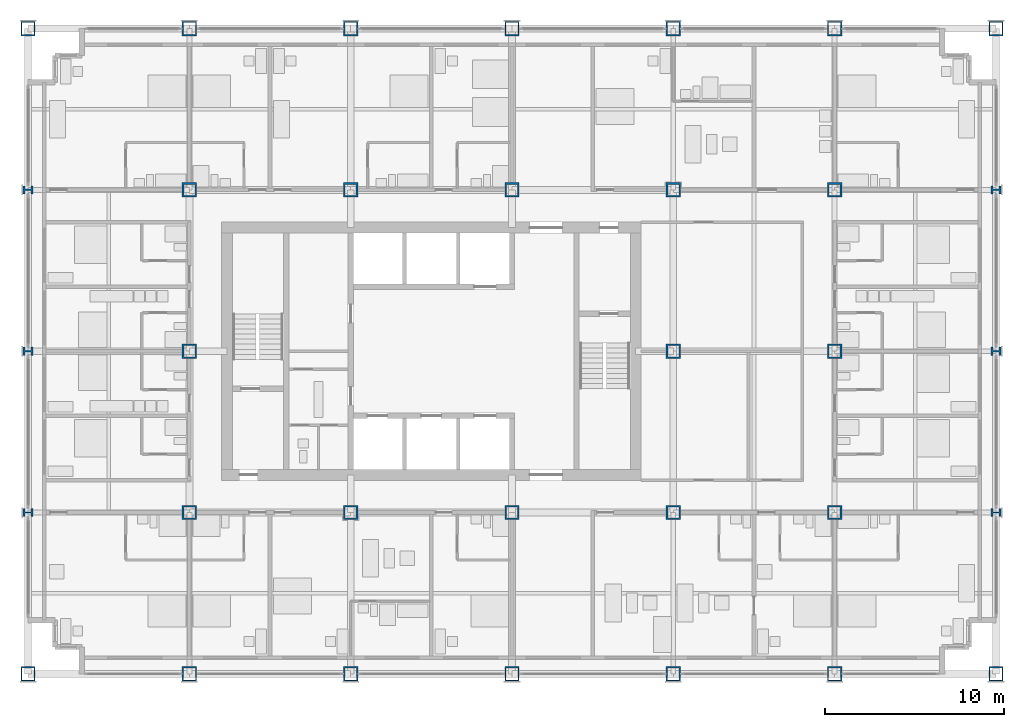
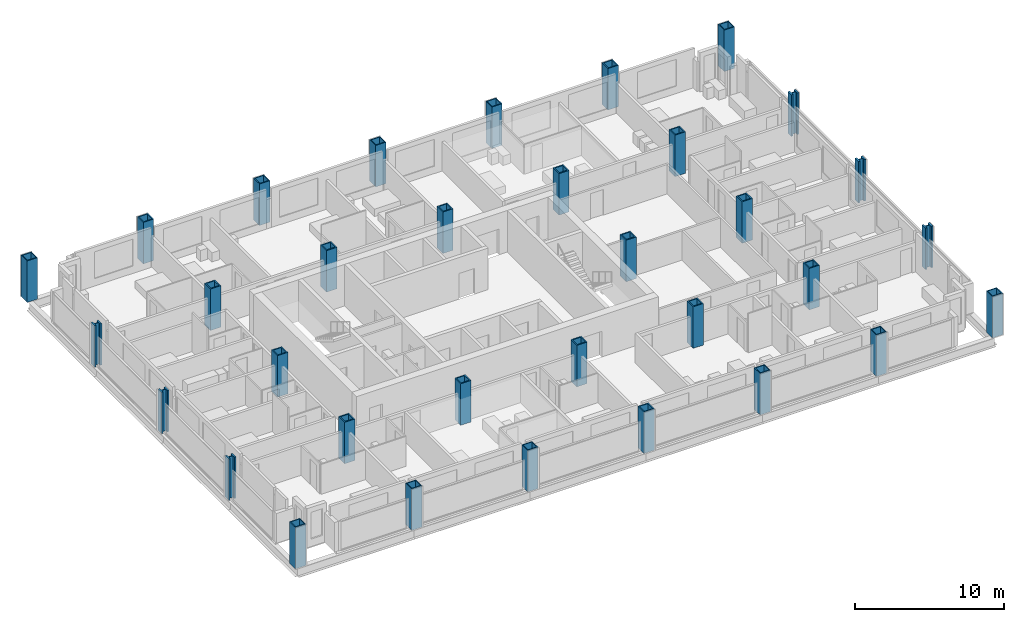
# One storey, part 1 of 18: 33 columns.
"""IFC4 building model written with IfcOpenShell, lengths in metres."""

from ifc_helpers import new_model, si_unit, direction, frame, origin, origin_2d, place, context, subcontext, project, spatial, hollow_rectangle, i_section, extrude, material, material_profile, profile_set, type_object, element, save


model = new_model("IFC4")

# Units and contexts
model_context = context("Model", 3, precision=1e-05, world=origin(), true_north=direction((0.0, 1.0)))
body_context = subcontext(model_context, "Body", "Model", "MODEL_VIEW")
ifc_project = project(units=[si_unit("LENGTHUNIT", "METRE"), si_unit("AREAUNIT", "SQUARE_METRE"), si_unit("VOLUMEUNIT", "CUBIC_METRE"), si_unit("PLANEANGLEUNIT", "RADIAN"), si_unit("MASSUNIT", "GRAM", prefix="KILO")], contexts=[model_context])

# Site, building, storey
site_placement = place(None, origin())
site = spatial("IfcSite", under=ifc_project, at=site_placement, CompositionType="ELEMENT")
building_placement = place(site_placement, origin())
building = spatial("IfcBuilding", under=site, at=building_placement, Name="Loomwork Tower", CompositionType="ELEMENT")
storey_placement = place(building_placement, frame((0.0, 0.0, 55.199951171875)))
storey = spatial("IfcBuildingStorey", under=building, at=storey_placement, Name="L13", CompositionType="ELEMENT", Elevation=55.199951171875)

# Columns
ifc_material_1 = material(Name="Steel ASTM A572 Grade 50 plate", Category="steel")
ifc_material_profile_1 = material_profile(ifc_material_1, hollow_rectangle(XDim=0.800048828125, YDim=0.800048828125, WallThickness=0.070068359375, at=origin_2d()), Name="BOX800x70")
ifc_profile_set_1 = profile_set([ifc_material_profile_1], Name="Steel ASTM A572 Grade 50 plate")
column_type_1 = type_object("IfcColumnType", Name="EXOSKELETON PIER BOX800x70", PredefinedType="COLUMN", material=ifc_profile_set_1)
for number, where, z_axis, x_axis, name in (
    (1, (0.0, 0.0, 0.0), (0.0, 0.0, 1.0), (1.0, 0.0, 0.0), "Exoskeleton Pier D/2 L13"),
    (2, (0.0, 36.0, 0.0), (0.0, 0.0, 1.0), (1.0, 0.0, 0.0), "Exoskeleton Pier H/2 L13"),
    (3, (9.0, 0.0, 0.0), (0.0, 0.0, 1.0), (1.0, 0.0, 0.0), "Exoskeleton Pier D/3 L13"),
    (4, (9.0, 36.0, 0.0), (0.0, 0.0, 1.0), (1.0, 0.0, 0.0), "Exoskeleton Pier H/3 L13"),
    (5, (18.0, 0.0, 0.0), (0.0, 0.0, 1.0), (1.0, 0.0, 0.0), "Exoskeleton Pier D/4 L13"),
    (6, (18.0, 36.0, 0.0), (0.0, 0.0, 1.0), (1.0, 0.0, 0.0), "Exoskeleton Pier H/4 L13"),
    (7, (27.0, 0.0, 0.0), (0.0, 0.0, 1.0), (1.0, 0.0, 0.0), "Exoskeleton Pier D/5 L13"),
    (8, (27.0, 36.0, 0.0), (0.0, 0.0, 1.0), (1.0, 0.0, 0.0), "Exoskeleton Pier H/5 L13"),
    (9, (36.0, 0.0, 0.0), (0.0, 0.0, 1.0), (1.0, 0.0, 0.0), "Exoskeleton Pier D/6 L13"),
    (10, (36.0, 36.0, 0.0), (0.0, 0.0, 1.0), (1.0, 0.0, 0.0), "Exoskeleton Pier H/6 L13"),
    (11, (45.0, 0.0, 0.0), (0.0, 0.0, 1.0), (1.0, 0.0, 0.0), "Exoskeleton Pier D/7 L13"),
    (12, (45.0, 36.0, 0.0), (0.0, 0.0, 1.0), (1.0, 0.0, 0.0), "Exoskeleton Pier H/7 L13"),
    (13, (54.0, 0.0, 0.0), (0.0, 0.0, 1.0), (1.0, 0.0, 0.0), "Exoskeleton Pier D/8 L13"),
    (14, (54.0, 36.0, 0.0), (0.0, 0.0, 1.0), (1.0, 0.0, 0.0), "Exoskeleton Pier H/8 L13"),
):
    element("IfcColumn", number, at=place(storey_placement, frame(where, z_axis=z_axis, x_axis=x_axis)), inside=storey, type_object=column_type_1, Name=name, PredefinedType="COLUMN", context=body_context, shape_type="SweptSolid", body=[
        extrude(hollow_rectangle(XDim=0.800048828125, YDim=0.800048828125, WallThickness=0.070068359375, at=origin_2d()), origin(), (0.0, 0.0, 1.0), 3.400146484375),
    ])
ifc_material_2 = material(Name="Steel ASTM A992", Category="steel")
ifc_material_profile_2 = material_profile(ifc_material_2, i_section(OverallWidth=0.45458984375, OverallDepth=0.56884765625, WebThickness=0.077880859375, FlangeThickness=0.124755859375, at=origin_2d()), Name="W14x730")
ifc_profile_set_2 = profile_set([ifc_material_profile_2], Name="Steel ASTM A992")
column_type_2 = type_object("IfcColumnType", Name="EXOSKELETON PIER W14x730", PredefinedType="COLUMN", material=ifc_profile_set_2)
for number, where, z_axis, x_axis, name in (
    (15, (0.0, 9.0, 0.0), (0.0, 0.0, 1.0), (0.0, 1.0, 0.0), "Exoskeleton Pier E/2 L13"),
    (16, (0.0, 18.0, 0.0), (0.0, 0.0, 1.0), (0.0, 1.0, 0.0), "Exoskeleton Pier F/2 L13"),
    (17, (0.0, 27.0, 0.0), (0.0, 0.0, 1.0), (0.0, 1.0, 0.0), "Exoskeleton Pier G/2 L13"),
    (18, (54.0, 9.0, 0.0), (0.0, 0.0, 1.0), (0.0, 1.0, 0.0), "Exoskeleton Pier E/8 L13"),
    (19, (54.0, 18.0, 0.0), (0.0, 0.0, 1.0), (0.0, 1.0, 0.0), "Exoskeleton Pier F/8 L13"),
    (20, (54.0, 27.0, 0.0), (0.0, 0.0, 1.0), (0.0, 1.0, 0.0), "Exoskeleton Pier G/8 L13"),
):
    element("IfcColumn", number, at=place(storey_placement, frame(where, z_axis=z_axis, x_axis=x_axis)), inside=storey, type_object=column_type_2, Name=name, PredefinedType="COLUMN", context=body_context, shape_type="SweptSolid", body=[
        extrude(i_section(OverallWidth=0.45458984375, OverallDepth=0.56884765625, WebThickness=0.077880859375, FlangeThickness=0.124755859375, at=origin_2d()), origin(), (0.0, 0.0, 1.0), 3.400146484375),
    ])
ifc_material_3 = material(Name="Steel ASTM A572 Grade 50 plate", Category="steel")
ifc_material_profile_3 = material_profile(ifc_material_3, hollow_rectangle(XDim=0.800048828125, YDim=0.800048828125, WallThickness=0.090087890625, at=origin_2d()), Name="BOX800x90")
ifc_profile_set_3 = profile_set([ifc_material_profile_3], Name="Steel ASTM A572 Grade 50 plate")
column_type_3 = type_object("IfcColumnType", Name="TOWER COLUMN BOX800x90", PredefinedType="COLUMN", material=ifc_profile_set_3)
for number, where, z_axis, x_axis, name in (
    (21, (9.0, 9.0, 0.0), (0.0, 0.0, 1.0), (1.0, 0.0, 0.0), "Tower Column E/3 L13"),
    (22, (9.0, 18.0, 0.0), (0.0, 0.0, 1.0), (1.0, 0.0, 0.0), "Tower Column F/3 L13"),
    (23, (9.0, 27.0, 0.0), (0.0, 0.0, 1.0), (1.0, 0.0, 0.0), "Tower Column G/3 L13"),
    (24, (18.0, 9.0, 0.0), (0.0, 0.0, 1.0), (1.0, 0.0, 0.0), "Tower Column E/4 L13"),
    (25, (18.0, 27.0, 0.0), (0.0, 0.0, 1.0), (1.0, 0.0, 0.0), "Tower Column G/4 L13"),
    (26, (27.0, 9.0, 0.0), (0.0, 0.0, 1.0), (1.0, 0.0, 0.0), "Tower Column E/5 L13"),
    (27, (27.0, 27.0, 0.0), (0.0, 0.0, 1.0), (1.0, 0.0, 0.0), "Tower Column G/5 L13"),
    (28, (36.0, 9.0, 0.0), (0.0, 0.0, 1.0), (0.0, 1.0, 0.0), "Tower Column E/6 L13"),
    (29, (36.0, 18.0, 0.0), (0.0, 0.0, 1.0), (0.0, 1.0, 0.0), "Tower Column F/6 L13"),
    (30, (36.0, 27.0, 0.0), (0.0, 0.0, 1.0), (1.0, 0.0, 0.0), "Tower Column G/6 L13"),
    (31, (45.0, 9.0, 0.0), (0.0, 0.0, 1.0), (0.0, 1.0, 0.0), "Tower Column E/7 L13"),
    (32, (45.0, 18.0, 0.0), (0.0, 0.0, 1.0), (0.0, 1.0, 0.0), "Tower Column F/7 L13"),
    (33, (45.0, 27.0, 0.0), (0.0, 0.0, 1.0), (0.0, 1.0, 0.0), "Tower Column G/7 L13"),
):
    element("IfcColumn", number, at=place(storey_placement, frame(where, z_axis=z_axis, x_axis=x_axis)), inside=storey, type_object=column_type_3, Name=name, PredefinedType="COLUMN", context=body_context, shape_type="SweptSolid", body=[
        extrude(hollow_rectangle(XDim=0.800048828125, YDim=0.800048828125, WallThickness=0.090087890625, at=origin_2d()), origin(), (0.0, 0.0, 1.0), 3.400146484375),
    ])

save(model, "model.ifc")
